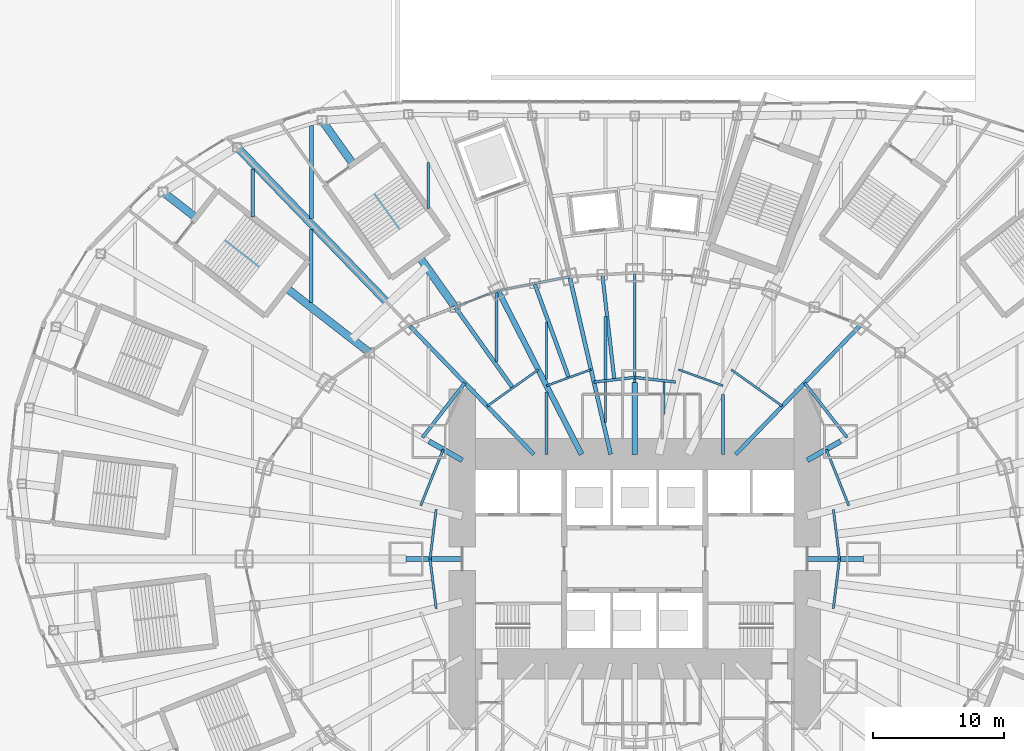
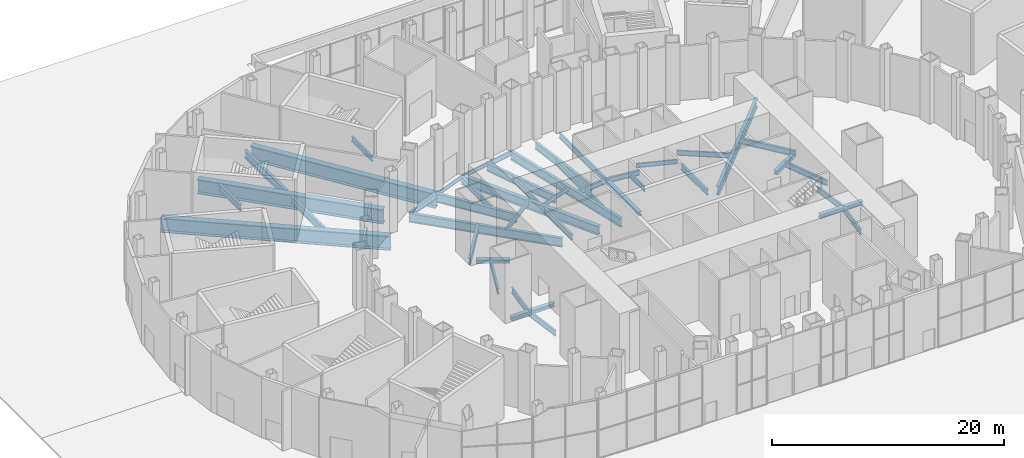
# One storey, part 6 of 47: 45 beams.
"""IFC4 building model written with IfcOpenShell, lengths in metres."""

from ifc_helpers import new_model, si_unit, direction, frame, origin, origin_2d, place, context, subcontext, project, spatial, i_section, extrude, material, material_profile, profile_set, type_object, element, save


model = new_model("IFC4")

# Units and contexts
model_context = context("Model", 3, precision=1e-05, world=origin(), true_north=direction((0.0, 1.0)))
body_context = subcontext(model_context, "Body", "Model", "MODEL_VIEW")
ifc_project = project(units=[si_unit("LENGTHUNIT", "METRE"), si_unit("AREAUNIT", "SQUARE_METRE"), si_unit("VOLUMEUNIT", "CUBIC_METRE"), si_unit("PLANEANGLEUNIT", "RADIAN"), si_unit("MASSUNIT", "GRAM", prefix="KILO")], contexts=[model_context])

# Site, building, storey
site_placement = place(None, origin())
site = spatial("IfcSite", under=ifc_project, at=site_placement, CompositionType="ELEMENT")
building_placement = place(site_placement, origin())
building = spatial("IfcBuilding", under=site, at=building_placement, Name="Lantaw Convention Tower", CompositionType="ELEMENT")
storey_placement = place(building_placement, origin())
storey = spatial("IfcBuildingStorey", under=building, at=storey_placement, Name="L00", CompositionType="ELEMENT", Elevation=0.0)

# Beams
ifc_material_1 = material(Name="Steel ASTM A992", Category="steel")
ifc_material_profile_1 = material_profile(ifc_material_1, i_section(OverallWidth=0.140380859375, OverallDepth=0.40380859375, WebThickness=0.007080078125, FlangeThickness=0.01123046875, FilletRadius=0.01025390625, at=origin_2d()), Name="W16X31")
ifc_profile_set_1 = profile_set([ifc_material_profile_1], Name="Steel ASTM A992")
beam_type_1 = type_object("IfcBeamType", Name="Beam E W16X31", PredefinedType="SPANDREL", material=ifc_profile_set_1)
beam_1_placement = place(storey_placement, frame((-7.671142578125, 21.076416015625, -0.65185546875), z_axis=(-0.98163593748, -0.190763954266, 0.0), x_axis=(0.190763954266, -0.98163593748, 0.0)))
element("IfcBeam", 1, at=beam_1_placement, inside=storey, type_object=beam_type_1, Name="Edge beam 8", PredefinedType="SPANDREL", context=body_context, shape_type="SweptSolid", body=[
    extrude(i_section(OverallWidth=0.140380859375, OverallDepth=0.40380859375, WebThickness=0.007080078125, FlangeThickness=0.01123046875, FilletRadius=0.01025390625, at=origin_2d()), origin(), (0.0, 0.0, 1.0), 2.84375),
])
beam_2_placement = place(storey_placement, frame((-10.462646484375, 20.533935546875, -0.65185546875), z_axis=(-0.933241815012, -0.359248820058, 0.0), x_axis=(0.359248820058, -0.933241815012, 0.0)))
element("IfcBeam", 2, at=beam_2_placement, inside=storey, type_object=beam_type_1, Name="Edge beam 9", PredefinedType="SPANDREL", context=body_context, shape_type="SweptSolid", body=[
    extrude(i_section(OverallWidth=0.140380859375, OverallDepth=0.40380859375, WebThickness=0.007080078125, FlangeThickness=0.01123046875, FilletRadius=0.01025390625, at=origin_2d()), origin(), (0.0, 0.0, 1.0), 3.517578125),
])
ifc_material_profile_2 = material_profile(ifc_material_1, i_section(OverallWidth=0.1650390625, OverallDepth=0.52587890625, WebThickness=0.0087890625, FlangeThickness=0.011474609375, FilletRadius=0.0126953125, at=origin_2d()), Name="W21X44")
ifc_profile_set_2 = profile_set([ifc_material_profile_2], Name="Steel ASTM A992")
beam_type_2 = type_object("IfcBeamType", Name="Beam E W21X44", PredefinedType="SPANDREL", material=ifc_profile_set_2)
beam_3_placement = place(storey_placement, frame((-4.986328125, 21.59814453125, -0.712890625), z_axis=(-0.981637218105, -0.190757364289, 0.0), x_axis=(0.190757364289, -0.981637218105, 0.0)))
element("IfcBeam", 3, at=beam_3_placement, inside=storey, type_object=beam_type_2, Name="Edge beam 8", PredefinedType="SPANDREL", context=body_context, shape_type="SweptSolid", body=[
    extrude(i_section(OverallWidth=0.1650390625, OverallDepth=0.52587890625, WebThickness=0.0087890625, FlangeThickness=0.011474609375, FilletRadius=0.0126953125, at=origin_2d()), origin(), (0.0, 0.0, 1.0), 2.735107421875),
])
ifc_material_profile_3 = material_profile(ifc_material_1, i_section(OverallWidth=0.2099609375, OverallDepth=0.535888671875, WebThickness=0.010986328125, FlangeThickness=0.017333984375, FilletRadius=0.012939453125, at=origin_2d()), Name="W21X68")
ifc_profile_set_3 = profile_set([ifc_material_profile_3], Name="Steel ASTM A992")
beam_type_3 = type_object("IfcBeamType", Name="Beam E W21X68", PredefinedType="SPANDREL", material=ifc_profile_set_3)
beam_4_placement = place(storey_placement, frame((-13.745361328125, 19.270263671875, -0.718017578125), z_axis=(-0.933224646415, -0.359293416754, 0.0), x_axis=(0.359293416754, -0.933224646415, 0.0)))
element("IfcBeam", 4, at=beam_4_placement, inside=storey, type_object=beam_type_3, Name="Edge beam 9", PredefinedType="SPANDREL", context=body_context, shape_type="SweptSolid", body=[
    extrude(i_section(OverallWidth=0.2099609375, OverallDepth=0.535888671875, WebThickness=0.010986328125, FlangeThickness=0.017333984375, FilletRadius=0.012939453125, at=origin_2d()), origin(), (0.0, 0.0, 1.0), 3.799072265625),
])
ifc_material_profile_4 = material_profile(ifc_material_1, i_section(OverallWidth=0.177978515625, OverallDepth=0.599365234375, WebThickness=0.010009765625, FlangeThickness=0.012939453125, FilletRadius=0.012939453125, at=origin_2d()), Name="W24X55")
ifc_profile_set_4 = profile_set([ifc_material_profile_4], Name="Steel ASTM A992")
beam_type_4 = type_object("IfcBeamType", Name="Beam G W24X55", PredefinedType="BEAM", material=ifc_profile_set_4)
beam_5_placement = place(storey_placement, frame((0.0, 13.5, -0.749755859375), z_axis=(0.0, 1.0, 0.0), x_axis=(-1.0, 0.0, 0.0)))
element("IfcBeam", 5, at=beam_5_placement, inside=storey, type_object=beam_type_4, Name="Floor girder on ray 7", PredefinedType="BEAM", context=body_context, shape_type="SweptSolid", body=[
    extrude(i_section(OverallWidth=0.177978515625, OverallDepth=0.599365234375, WebThickness=0.010009765625, FlangeThickness=0.012939453125, FilletRadius=0.012939453125, at=origin_2d()), origin(), (0.0, 0.0, 1.0), 8.39990234375),
])
ifc_material_profile_5 = material_profile(ifc_material_1, i_section(OverallWidth=0.2666015625, OverallDepth=0.76953125, WebThickness=0.015625, FlangeThickness=0.025390625, FilletRadius=0.0126953125, at=origin_2d()), Name="W30X132")
ifc_profile_set_5 = profile_set([ifc_material_profile_5], Name="Steel ASTM A992")
beam_type_5 = type_object("IfcBeamType", Name="Beam G W30X132", PredefinedType="BEAM", material=ifc_profile_set_5)
beam_6_placement = place(storey_placement, frame((-1.5625, 13.713134765625, -0.834716796875), z_axis=(-0.113183957156, 0.993574049501, 0.0), x_axis=(-0.993574049501, -0.113183957156, 0.0)))
element("IfcBeam", 6, at=beam_6_placement, inside=storey, type_object=beam_type_5, Name="Floor girder on bisector 7", PredefinedType="BEAM", context=body_context, shape_type="SweptSolid", body=[
    extrude(i_section(OverallWidth=0.2666015625, OverallDepth=0.76953125, WebThickness=0.015625, FlangeThickness=0.025390625, FilletRadius=0.0126953125, at=origin_2d()), origin(), (0.0, 0.0, 1.0), 8.0888671875),
])
ifc_material_profile_6 = material_profile(ifc_material_1, i_section(OverallWidth=0.2919921875, OverallDepth=0.845703125, WebThickness=0.015380859375, FlangeThickness=0.0244140625, FilletRadius=0.01513671875, at=origin_2d()), Name="W33X141")
ifc_profile_set_6 = profile_set([ifc_material_profile_6], Name="Steel ASTM A992")
beam_type_6 = type_object("IfcBeamType", Name="Beam G W33X141", PredefinedType="BEAM", material=ifc_profile_set_6)
beam_7_placement = place(storey_placement, frame((-5.04931640625, 13.873046875, -0.872802734375), z_axis=(-0.342021781151, 0.939692024664, 0.0), x_axis=(-0.939692024664, -0.342021781151, 0.0)))
element("IfcBeam", 7, at=beam_7_placement, inside=storey, type_object=beam_type_6, Name="Floor girder on bisector 8", PredefinedType="BEAM", context=body_context, shape_type="SweptSolid", body=[
    extrude(i_section(OverallWidth=0.2919921875, OverallDepth=0.845703125, WebThickness=0.015380859375, FlangeThickness=0.0244140625, FilletRadius=0.01513671875, at=origin_2d()), origin(), (0.0, 0.0, 1.0), 7.665771484375),
])
ifc_material_profile_7 = material_profile(ifc_material_1, i_section(OverallWidth=0.307373046875, OverallDepth=0.922119140625, WebThickness=0.018310546875, FlangeThickness=0.030029296875, FilletRadius=0.0126953125, at=origin_2d()), Name="W36X182")
ifc_profile_set_7 = profile_set([ifc_material_profile_7], Name="Steel ASTM A992")
beam_type_7 = type_object("IfcBeamType", Name="Beam G W36X182", PredefinedType="BEAM", material=ifc_profile_set_7)
beam_8_placement = place(storey_placement, frame((-1.846923828125, 8.0, -0.910888671875), z_axis=(-0.224952773175, 0.97436966796, 0.0), x_axis=(-0.97436966796, -0.224952773175, 0.0)))
element("IfcBeam", 8, at=beam_8_placement, inside=storey, type_object=beam_type_7, Name="Floor girder on ray 8", PredefinedType="BEAM", context=body_context, shape_type="SweptSolid", body=[
    extrude(i_section(OverallWidth=0.307373046875, OverallDepth=0.922119140625, WebThickness=0.018310546875, FlangeThickness=0.030029296875, FilletRadius=0.0126953125, at=origin_2d()), origin(), (0.0, 0.0, 1.0), 13.955810546875),
])
beam_9_placement = place(storey_placement, frame((-9.335693359375, 13.088134765625, -0.910888671875), z_axis=(-0.580702805158, 0.814115625745, 0.0), x_axis=(-0.814115625745, -0.580702805158, 0.0)))
element("IfcBeam", 9, at=beam_9_placement, inside=storey, type_object=beam_type_7, Name="Floor girder on bisector 9", PredefinedType="BEAM", context=body_context, shape_type="SweptSolid", body=[
    extrude(i_section(OverallWidth=0.307373046875, OverallDepth=0.922119140625, WebThickness=0.018310546875, FlangeThickness=0.030029296875, FilletRadius=0.0126953125, at=origin_2d()), origin(), (0.0, 0.0, 1.0), 7.59375),
])
ifc_material_profile_8 = material_profile(ifc_material_1, i_section(OverallWidth=0.307373046875, OverallDepth=0.9423828125, WebThickness=0.022216796875, FlangeThickness=0.039794921875, FilletRadius=0.0126953125, at=origin_2d()), Name="W36X232")
ifc_profile_set_8 = profile_set([ifc_material_profile_8], Name="Steel ASTM A992")
beam_type_8 = type_object("IfcBeamType", Name="Beam G W36X232", PredefinedType="BEAM", material=ifc_profile_set_8)
for number, where, z_axis, x_axis, name in (
    (10, (7.7255859375, 8.0, -0.921142578125), (0.694649884291, 0.719347995239, 0.0), (-0.719347995239, 0.694649884291, 0.0), "Floor girder on ray 4"),
    (11, (-7.7255859375, 8.0, -0.921142578125), (-0.694649884291, 0.719347995239, 0.0), (-0.719347995239, -0.694649884291, 0.0), "Floor girder on ray 10"),
):
    element("IfcBeam", number, at=place(storey_placement, frame(where, z_axis=z_axis, x_axis=x_axis)), inside=storey, type_object=beam_type_8, Name=name, PredefinedType="BEAM", context=body_context, shape_type="SweptSolid", body=[
        extrude(i_section(OverallWidth=0.307373046875, OverallDepth=0.9423828125, WebThickness=0.022216796875, FlangeThickness=0.039794921875, FilletRadius=0.0126953125, at=origin_2d()), origin(), (0.0, 0.0, 1.0), 13.769775390625),
    ])
ifc_material_profile_9 = material_profile(ifc_material_1, i_section(OverallWidth=0.421630859375, OverallDepth=0.937255859375, WebThickness=0.0224609375, FlangeThickness=0.039794921875, FilletRadius=0.02001953125, at=origin_2d()), Name="W36X282")
ifc_profile_set_9 = profile_set([ifc_material_profile_9], Name="Steel ASTM A992")
beam_type_9 = type_object("IfcBeamType", Name="Beam G W36X282", PredefinedType="BEAM", material=ifc_profile_set_9)
beam_10_placement = place(storey_placement, frame((-4.076171875, 8.0, -0.918701171875), z_axis=(-0.453997016122, 0.891003203896, 0.0), x_axis=(-0.891003203896, -0.453997016122, 0.0)))
element("IfcBeam", 12, at=beam_10_placement, inside=storey, type_object=beam_type_9, Name="Floor girder on ray 9", PredefinedType="BEAM", context=body_context, shape_type="SweptSolid", body=[
    extrude(i_section(OverallWidth=0.421630859375, OverallDepth=0.937255859375, WebThickness=0.0224609375, FlangeThickness=0.039794921875, FilletRadius=0.02001953125, at=origin_2d()), origin(), (0.0, 0.0, 1.0), 14.067138671875),
])
ifc_material_profile_10 = material_profile(ifc_material_1, i_section(OverallWidth=0.40380859375, OverallDepth=0.406494140625, WebThickness=0.027099609375, FlangeThickness=0.043701171875, FilletRadius=0.01513671875, at=origin_2d()), Name="W14X233")
ifc_profile_set_10 = profile_set([ifc_material_profile_10], Name="Steel ASTM A992")
beam_type_10 = type_object("IfcBeamType", Name="Beam GM W14X233", PredefinedType="BEAM", material=ifc_profile_set_10)
beam_11_placement = place(storey_placement, frame((13.199951171875, 0.0, -0.6533203125), z_axis=(1.0, 0.0, 0.0), x_axis=(0.0, 1.0, 0.0)))
element("IfcBeam", 13, at=beam_11_placement, inside=storey, type_object=beam_type_10, Name="Core link beam on ray 1", PredefinedType="BEAM", context=body_context, shape_type="SweptSolid", body=[
    extrude(i_section(OverallWidth=0.40380859375, OverallDepth=0.406494140625, WebThickness=0.027099609375, FlangeThickness=0.043701171875, FilletRadius=0.01513671875, at=origin_2d()), origin(), (0.0, 0.0, 1.0), 4.300048828125),
])
beam_12_placement = place(storey_placement, frame((13.199951171875, 7.54296875, -0.6533203125), z_axis=(0.868263603466, 0.496103129295, 0.0), x_axis=(-0.496103129295, 0.868263603466, 0.0)))
element("IfcBeam", 14, at=beam_12_placement, inside=storey, type_object=beam_type_10, Name="Core link beam on ray 3", PredefinedType="BEAM", context=body_context, shape_type="SweptSolid", body=[
    extrude(i_section(OverallWidth=0.40380859375, OverallDepth=0.406494140625, WebThickness=0.027099609375, FlangeThickness=0.043701171875, FilletRadius=0.01513671875, at=origin_2d()), origin(), (0.0, 0.0, 1.0), 2.93701171875),
])
beam_13_placement = place(storey_placement, frame((0.0, 8.0, -0.6533203125), z_axis=(0.0, 1.0, 0.0), x_axis=(-1.0, 0.0, 0.0)))
element("IfcBeam", 15, at=beam_13_placement, inside=storey, type_object=beam_type_10, Name="Core link beam on ray 7", PredefinedType="BEAM", context=body_context, shape_type="SweptSolid", body=[
    extrude(i_section(OverallWidth=0.40380859375, OverallDepth=0.406494140625, WebThickness=0.027099609375, FlangeThickness=0.043701171875, FilletRadius=0.01513671875, at=origin_2d()), origin(), (0.0, 0.0, 1.0), 5.5),
])
beam_14_placement = place(storey_placement, frame((-13.199951171875, 7.54296875, -0.6533203125), z_axis=(-0.868263603466, 0.496103129295, 0.0), x_axis=(-0.496103129295, -0.868263603466, 0.0)))
element("IfcBeam", 16, at=beam_14_placement, inside=storey, type_object=beam_type_10, Name="Core link beam on ray 11", PredefinedType="BEAM", context=body_context, shape_type="SweptSolid", body=[
    extrude(i_section(OverallWidth=0.40380859375, OverallDepth=0.406494140625, WebThickness=0.027099609375, FlangeThickness=0.043701171875, FilletRadius=0.01513671875, at=origin_2d()), origin(), (0.0, 0.0, 1.0), 2.93701171875),
])
beam_15_placement = place(storey_placement, frame((-13.199951171875, 0.0, -0.6533203125), z_axis=(-1.0, 0.0, 0.0), x_axis=(0.0, -1.0, 0.0)))
element("IfcBeam", 17, at=beam_15_placement, inside=storey, type_object=beam_type_10, Name="Core link beam on ray 13", PredefinedType="BEAM", context=body_context, shape_type="SweptSolid", body=[
    extrude(i_section(OverallWidth=0.40380859375, OverallDepth=0.406494140625, WebThickness=0.027099609375, FlangeThickness=0.043701171875, FilletRadius=0.01513671875, at=origin_2d()), origin(), (0.0, 0.0, 1.0), 4.300048828125),
])
ifc_material_profile_11 = material_profile(ifc_material_1, i_section(OverallWidth=0.15234375, OverallDepth=0.449462890625, WebThickness=0.007568359375, FlangeThickness=0.0107421875, FilletRadius=0.01025390625, at=origin_2d()), Name="W18X35")
ifc_profile_set_11 = profile_set([ifc_material_profile_11], Name="Steel ASTM A992")
beam_type_11 = type_object("IfcBeamType", Name="Beam HC W18X35", PredefinedType="BEAM", material=ifc_profile_set_11)
for number, where, z_axis, x_axis, name in (
    (18, (6.752685546875, 13.253173828125, -0.6748046875), (-0.939689171859, 0.342029619025, 0.0), (-0.342029619025, -0.939689171859, 0.0), "Collar beam on bisector 5"),
    (19, (-3.345947265625, 14.4931640625, -0.6748046875), (-0.939689171859, -0.342029619025, 0.0), (0.342029619025, -0.939689171859, 0.0), "Collar beam on bisector 8"),
):
    element("IfcBeam", number, at=place(storey_placement, frame(where, z_axis=z_axis, x_axis=x_axis)), inside=storey, type_object=beam_type_11, Name=name, PredefinedType="BEAM", context=body_context, shape_type="SweptSolid", body=[
        extrude(i_section(OverallWidth=0.15234375, OverallDepth=0.449462890625, WebThickness=0.007568359375, FlangeThickness=0.0107421875, FilletRadius=0.01025390625, at=origin_2d()), origin(), (0.0, 0.0, 1.0), 3.62548828125),
    ])
ifc_material_profile_12 = material_profile(ifc_material_1, i_section(OverallWidth=0.1650390625, OverallDepth=0.52587890625, WebThickness=0.0087890625, FlangeThickness=0.011474609375, FilletRadius=0.0126953125, at=origin_2d()), Name="W21X44")
ifc_profile_set_12 = profile_set([ifc_material_profile_12], Name="Steel ASTM A992")
beam_type_12 = type_object("IfcBeamType", Name="Beam HC W21X44", PredefinedType="BEAM", material=ifc_profile_set_12)
for number, where, z_axis, x_axis, name in (
    (20, (11.291748046875, 11.69287109375, -0.712890625), (-0.814110909588, 0.580709416912, 0.0), (-0.580709416912, -0.814110909588, 0.0), "Collar beam on bisector 4"),
    (21, (-7.379638671875, 14.4833984375, -0.712890625), (-0.814110909588, -0.580709416912, 0.0), (0.580709416912, -0.814110909588, 0.0), "Collar beam on bisector 9"),
):
    element("IfcBeam", number, at=place(storey_placement, frame(where, z_axis=z_axis, x_axis=x_axis)), inside=storey, type_object=beam_type_12, Name=name, PredefinedType="BEAM", context=body_context, shape_type="SweptSolid", body=[
        extrude(i_section(OverallWidth=0.1650390625, OverallDepth=0.52587890625, WebThickness=0.0087890625, FlangeThickness=0.011474609375, FilletRadius=0.0126953125, at=origin_2d()), origin(), (0.0, 0.0, 1.0), 4.805419921875),
    ])
ifc_material_profile_13 = material_profile(ifc_material_1, i_section(OverallWidth=0.2099609375, OverallDepth=0.535888671875, WebThickness=0.010986328125, FlangeThickness=0.017333984375, FilletRadius=0.012939453125, at=origin_2d()), Name="W21X68")
ifc_profile_set_13 = profile_set([ifc_material_profile_13], Name="Steel ASTM A992")
beam_type_13 = type_object("IfcBeamType", Name="Beam HC W21X68", PredefinedType="BEAM", material=ifc_profile_set_13)
for number, where, z_axis, x_axis, name in (
    (22, (3.124755859375, 13.534912109375, -0.718017578125), (-0.99356540907, 0.113259780595, 0.0), (-0.113259780595, -0.99356540907, 0.0), "Collar beam on bisector 6"),
    (23, (0.0, 13.89111328125, -0.718017578125), (-0.99356540907, -0.113259780595, 0.0), (0.113259780595, -0.99356540907, 0.0), "Collar beam on bisector 7"),
):
    element("IfcBeam", number, at=place(storey_placement, frame(where, z_axis=z_axis, x_axis=x_axis)), inside=storey, type_object=beam_type_13, Name=name, PredefinedType="BEAM", context=body_context, shape_type="SweptSolid", body=[
        extrude(i_section(OverallWidth=0.2099609375, OverallDepth=0.535888671875, WebThickness=0.010986328125, FlangeThickness=0.017333984375, FilletRadius=0.012939453125, at=origin_2d()), origin(), (0.0, 0.0, 1.0), 3.14501953125),
    ])
ifc_material_profile_14 = material_profile(ifc_material_1, i_section(OverallWidth=0.177978515625, OverallDepth=0.599365234375, WebThickness=0.010009765625, FlangeThickness=0.012939453125, FilletRadius=0.012939453125, at=origin_2d()), Name="W24X55")
ifc_profile_set_14 = profile_set([ifc_material_profile_14], Name="Steel ASTM A992")
beam_type_14 = type_object("IfcBeamType", Name="Beam HC W24X55", PredefinedType="BEAM", material=ifc_profile_set_14)
beam_16_placement = place(storey_placement, frame((15.666015625, 0.0, -0.749755859375), z_axis=(-0.121925556924, 0.992539247873, 0.0), x_axis=(-0.992539247873, -0.121925556924, 0.0)))
element("IfcBeam", 24, at=beam_16_placement, inside=storey, type_object=beam_type_14, Name="Collar beam on bisector 1", PredefinedType="BEAM", context=body_context, shape_type="SweptSolid", body=[
    extrude(i_section(OverallWidth=0.177978515625, OverallDepth=0.599365234375, WebThickness=0.010009765625, FlangeThickness=0.012939453125, FilletRadius=0.012939453125, at=origin_2d()), origin(), (0.0, 0.0, 1.0), 3.818603515625),
])
for number, where, z_axis, x_axis, name in (
    (25, (16.381591796875, 4.08447265625, -0.749755859375), (-0.372591792929, 0.927995342576, 0.0), (-0.927995342576, -0.372591792929, 0.0), "Collar beam on bisector 2"),
    (26, (-14.658447265625, 8.376220703125, -0.749755859375), (-0.372591792929, -0.927995342576, 0.0), (0.927995342576, -0.372591792929, 0.0), "Collar beam on bisector 11"),
):
    element("IfcBeam", number, at=place(storey_placement, frame(where, z_axis=z_axis, x_axis=x_axis)), inside=storey, type_object=beam_type_14, Name=name, PredefinedType="BEAM", context=body_context, shape_type="SweptSolid", body=[
        extrude(i_section(OverallWidth=0.177978515625, OverallDepth=0.599365234375, WebThickness=0.010009765625, FlangeThickness=0.012939453125, FilletRadius=0.012939453125, at=origin_2d()), origin(), (0.0, 0.0, 1.0), 4.624755859375),
    ])
for number, where, z_axis, x_axis, name in (
    (27, (-15.200439453125, 3.7900390625, -0.749755859375), (-0.121925556924, -0.992539247873, 0.0), (0.992539247873, -0.121925556924, 0.0), "Collar beam on bisector 12"),
    (28, (-15.666015625, 0.0, -0.749755859375), (0.121925556924, -0.992539247873, 0.0), (0.992539247873, 0.121925556924, 0.0), "Collar beam on bisector 13"),
    (29, (15.200439453125, -3.7900390625, -0.749755859375), (0.121925556924, 0.992539247873, 0.0), (-0.992539247873, 0.121925556924, 0.0), "Collar beam on bisector 24"),
):
    element("IfcBeam", number, at=place(storey_placement, frame(where, z_axis=z_axis, x_axis=x_axis)), inside=storey, type_object=beam_type_14, Name=name, PredefinedType="BEAM", context=body_context, shape_type="SweptSolid", body=[
        extrude(i_section(OverallWidth=0.177978515625, OverallDepth=0.599365234375, WebThickness=0.010009765625, FlangeThickness=0.012939453125, FilletRadius=0.012939453125, at=origin_2d()), origin(), (0.0, 0.0, 1.0), 3.818603515625),
    ])
ifc_material_profile_15 = material_profile(ifc_material_1, i_section(OverallWidth=0.22900390625, OverallDepth=0.612060546875, WebThickness=0.011962890625, FlangeThickness=0.01953125, FilletRadius=0.0126953125, at=origin_2d()), Name="W24X84")
ifc_profile_set_15 = profile_set([ifc_material_profile_15], Name="Steel ASTM A992")
beam_type_15 = type_object("IfcBeamType", Name="Beam HC W24X84", PredefinedType="BEAM", material=ifc_profile_set_15)
beam_17_placement = place(storey_placement, frame((16.2529296875, 9.287353515625, -0.756103515625), z_axis=(-0.613915067401, 0.789372085913, 0.0), x_axis=(-0.789372085913, -0.613915067401, 0.0)))
element("IfcBeam", 30, at=beam_17_placement, inside=storey, type_object=beam_type_15, Name="Collar beam on bisector 3", PredefinedType="BEAM", context=body_context, shape_type="SweptSolid", body=[
    extrude(i_section(OverallWidth=0.22900390625, OverallDepth=0.612060546875, WebThickness=0.011962890625, FlangeThickness=0.01953125, FilletRadius=0.0126953125, at=origin_2d()), origin(), (0.0, 0.0, 1.0), 5.293212890625),
])
ifc_material_profile_16 = material_profile(ifc_material_1, i_section(OverallWidth=0.256591796875, OverallDepth=0.693359375, WebThickness=0.014404296875, FlangeThickness=0.023681640625, FilletRadius=0.01513671875, at=origin_2d()), Name="W27X114")
ifc_profile_set_16 = profile_set([ifc_material_profile_16], Name="Steel ASTM A992")
beam_type_16 = type_object("IfcBeamType", Name="Beam HC W27X114", PredefinedType="BEAM", material=ifc_profile_set_16)
beam_18_placement = place(storey_placement, frame((-13.00341796875, 13.465576171875, -0.796630859375), z_axis=(-0.613915067401, -0.789372085913, 0.0), x_axis=(0.789372085913, -0.613915067401, 0.0)))
element("IfcBeam", 31, at=beam_18_placement, inside=storey, type_object=beam_type_16, Name="Collar beam on bisector 10", PredefinedType="BEAM", context=body_context, shape_type="SweptSolid", body=[
    extrude(i_section(OverallWidth=0.256591796875, OverallDepth=0.693359375, WebThickness=0.014404296875, FlangeThickness=0.023681640625, FilletRadius=0.01513671875, at=origin_2d()), origin(), (0.0, 0.0, 1.0), 5.293212890625),
])
ifc_material_profile_17 = material_profile(ifc_material_1, i_section(OverallWidth=0.1650390625, OverallDepth=0.52587890625, WebThickness=0.0087890625, FlangeThickness=0.011474609375, FilletRadius=0.0126953125, at=origin_2d()), Name="W21X44")
ifc_profile_set_17 = profile_set([ifc_material_profile_17], Name="Steel ASTM A992")
beam_type_17 = type_object("IfcBeamType", Name="Beam J W21X44", PredefinedType="JOIST", material=ifc_profile_set_17)
beam_19_placement = place(storey_placement, frame((-2.25, 10.428955078125, -0.712890625), z_axis=(0.0, 1.0, 0.0), x_axis=(-1.0, 0.0, 0.0)))
element("IfcBeam", 32, at=beam_19_placement, inside=storey, type_object=beam_type_17, Name="Floor joist", PredefinedType="JOIST", context=body_context, shape_type="SweptSolid", body=[
    extrude(i_section(OverallWidth=0.1650390625, OverallDepth=0.52587890625, WebThickness=0.0087890625, FlangeThickness=0.011474609375, FilletRadius=0.0126953125, at=origin_2d()), origin(), (0.0, 0.0, 1.0), 3.10009765625),
])
beam_20_placement = place(storey_placement, frame((2.25, 11.079345703125, -0.712890625), z_axis=(0.0, 1.0, 0.0), x_axis=(-1.0, 0.0, 0.0)))
element("IfcBeam", 33, at=beam_20_placement, inside=storey, type_object=beam_type_17, Name="Floor joist", PredefinedType="JOIST", context=body_context, shape_type="SweptSolid", body=[
    extrude(i_section(OverallWidth=0.1650390625, OverallDepth=0.52587890625, WebThickness=0.0087890625, FlangeThickness=0.011474609375, FilletRadius=0.0126953125, at=origin_2d()), origin(), (0.0, 0.0, 1.0), 2.44970703125),
])
ifc_material_profile_18 = material_profile(ifc_material_1, i_section(OverallWidth=0.209228515625, OverallDepth=0.533447265625, WebThickness=0.01025390625, FlangeThickness=0.015625, FilletRadius=0.012939453125, at=origin_2d()), Name="W21X62")
ifc_profile_set_18 = profile_set([ifc_material_profile_18], Name="Steel ASTM A992")
beam_type_18 = type_object("IfcBeamType", Name="Beam J W21X62", PredefinedType="JOIST", material=ifc_profile_set_18)
beam_21_placement = place(storey_placement, frame((-15.800048828125, 26.80029296875, -0.716796875), z_axis=(0.0, 1.0, 0.0), x_axis=(-1.0, 0.0, 0.0)))
element("IfcBeam", 34, at=beam_21_placement, inside=storey, type_object=beam_type_18, Name="Floor joist", PredefinedType="JOIST", context=body_context, shape_type="SweptSolid", body=[
    extrude(i_section(OverallWidth=0.209228515625, OverallDepth=0.533447265625, WebThickness=0.01025390625, FlangeThickness=0.015625, FilletRadius=0.012939453125, at=origin_2d()), origin(), (0.0, 0.0, 1.0), 3.548095703125),
])
ifc_material_profile_19 = material_profile(ifc_material_1, i_section(OverallWidth=0.177978515625, OverallDepth=0.599365234375, WebThickness=0.010009765625, FlangeThickness=0.012939453125, FilletRadius=0.012939453125, at=origin_2d()), Name="W24X55")
ifc_profile_set_19 = profile_set([ifc_material_profile_19], Name="Steel ASTM A992")
beam_type_19 = type_object("IfcBeamType", Name="Beam J W24X55", PredefinedType="JOIST", material=ifc_profile_set_19)
beam_22_placement = place(storey_placement, frame((-6.75, 13.718505859375, -0.749755859375), z_axis=(0.0, 1.0, 0.0), x_axis=(-1.0, 0.0, 0.0)))
element("IfcBeam", 35, at=beam_22_placement, inside=storey, type_object=beam_type_19, Name="Floor joist", PredefinedType="JOIST", context=body_context, shape_type="SweptSolid", body=[
    extrude(i_section(OverallWidth=0.177978515625, OverallDepth=0.599365234375, WebThickness=0.010009765625, FlangeThickness=0.012939453125, FilletRadius=0.012939453125, at=origin_2d()), origin(), (0.0, 0.0, 1.0), 4.39990234375),
])
ifc_material_profile_20 = material_profile(ifc_material_1, i_section(OverallWidth=0.227783203125, OverallDepth=0.60205078125, WebThickness=0.010498046875, FlangeThickness=0.014892578125, FilletRadius=0.012939453125, at=origin_2d()), Name="W24X68")
ifc_profile_set_20 = profile_set([ifc_material_profile_20], Name="Steel ASTM A992")
beam_type_20 = type_object("IfcBeamType", Name="Beam J W24X68", PredefinedType="JOIST", material=ifc_profile_set_20)
beam_23_placement = place(storey_placement, frame((-10.60009765625, 15.125244140625, -0.7509765625), z_axis=(0.0, 1.0, 0.0), x_axis=(-1.0, 0.0, 0.0)))
element("IfcBeam", 36, at=beam_23_placement, inside=storey, type_object=beam_type_20, Name="Floor joist", PredefinedType="JOIST", context=body_context, shape_type="SweptSolid", body=[
    extrude(i_section(OverallWidth=0.227783203125, OverallDepth=0.60205078125, WebThickness=0.010498046875, FlangeThickness=0.014892578125, FilletRadius=0.012939453125, at=origin_2d()), origin(), (0.0, 0.0, 1.0), 5.280517578125),
])
ifc_material_profile_21 = material_profile(ifc_material_1, i_section(OverallWidth=0.22900390625, OverallDepth=0.612060546875, WebThickness=0.011962890625, FlangeThickness=0.01953125, FilletRadius=0.0126953125, at=origin_2d()), Name="W24X84")
ifc_profile_set_21 = profile_set([ifc_material_profile_21], Name="Steel ASTM A992")
beam_type_21 = type_object("IfcBeamType", Name="Beam J W24X84", PredefinedType="JOIST", material=ifc_profile_set_21)
beam_24_placement = place(storey_placement, frame((-6.75, 8.0, -0.756103515625), z_axis=(0.0, 1.0, 0.0), x_axis=(-1.0, 0.0, 0.0)))
element("IfcBeam", 37, at=beam_24_placement, inside=storey, type_object=beam_type_21, Name="Floor joist", PredefinedType="JOIST", context=body_context, shape_type="SweptSolid", body=[
    extrude(i_section(OverallWidth=0.22900390625, OverallDepth=0.612060546875, WebThickness=0.011962890625, FlangeThickness=0.01953125, FilletRadius=0.0126953125, at=origin_2d()), origin(), (0.0, 0.0, 1.0), 4.783203125),
])
beam_25_placement = place(storey_placement, frame((-2.25, 13.740478515625, -0.756103515625), z_axis=(0.0, 1.0, 0.0), x_axis=(-1.0, 0.0, 0.0)))
element("IfcBeam", 38, at=beam_25_placement, inside=storey, type_object=beam_type_21, Name="Floor joist", PredefinedType="JOIST", context=body_context, shape_type="SweptSolid", body=[
    extrude(i_section(OverallWidth=0.22900390625, OverallDepth=0.612060546875, WebThickness=0.011962890625, FlangeThickness=0.01953125, FilletRadius=0.0126953125, at=origin_2d()), origin(), (0.0, 0.0, 1.0), 4.82958984375),
])
beam_26_placement = place(storey_placement, frame((6.75, 8.0, -0.756103515625), z_axis=(0.0, 1.0, 0.0), x_axis=(-1.0, 0.0, 0.0)))
element("IfcBeam", 39, at=beam_26_placement, inside=storey, type_object=beam_type_21, Name="Floor joist", PredefinedType="JOIST", context=body_context, shape_type="SweptSolid", body=[
    extrude(i_section(OverallWidth=0.22900390625, OverallDepth=0.612060546875, WebThickness=0.011962890625, FlangeThickness=0.01953125, FilletRadius=0.0126953125, at=origin_2d()), origin(), (0.0, 0.0, 1.0), 4.5869140625),
])
ifc_material_profile_22 = material_profile(ifc_material_1, i_section(OverallWidth=0.256591796875, OverallDepth=0.693359375, WebThickness=0.014404296875, FlangeThickness=0.023681640625, FilletRadius=0.01513671875, at=origin_2d()), Name="W27X114")
ifc_profile_set_22 = profile_set([ifc_material_profile_22], Name="Steel ASTM A992")
beam_type_22 = type_object("IfcBeamType", Name="Beam J W27X114", PredefinedType="JOIST", material=ifc_profile_set_22)
beam_27_placement = place(storey_placement, frame((-29.25, 26.16845703125, -0.796630859375), z_axis=(0.0, 1.0, 0.0), x_axis=(-1.0, 0.0, 0.0)))
element("IfcBeam", 40, at=beam_27_placement, inside=storey, type_object=beam_type_22, Name="Floor joist", PredefinedType="JOIST", context=body_context, shape_type="SweptSolid", body=[
    extrude(i_section(OverallWidth=0.256591796875, OverallDepth=0.693359375, WebThickness=0.014404296875, FlangeThickness=0.023681640625, FilletRadius=0.01513671875, at=origin_2d()), origin(), (0.0, 0.0, 1.0), 3.68896484375),
])
ifc_material_profile_23 = material_profile(ifc_material_1, i_section(OverallWidth=0.2666015625, OverallDepth=0.76953125, WebThickness=0.015625, FlangeThickness=0.025390625, FilletRadius=0.0126953125, at=origin_2d()), Name="W30X132")
ifc_profile_set_23 = profile_set([ifc_material_profile_23], Name="Steel ASTM A992")
beam_type_23 = type_object("IfcBeamType", Name="Beam J W30X132", PredefinedType="JOIST", material=ifc_profile_set_23)
beam_28_placement = place(storey_placement, frame((-24.75, 19.62841796875, -0.834716796875), z_axis=(0.0, 1.0, 0.0), x_axis=(-1.0, 0.0, 0.0)))
element("IfcBeam", 41, at=beam_28_placement, inside=storey, type_object=beam_type_23, Name="Floor joist", PredefinedType="JOIST", context=body_context, shape_type="SweptSolid", body=[
    extrude(i_section(OverallWidth=0.2666015625, OverallDepth=0.76953125, WebThickness=0.015625, FlangeThickness=0.025390625, FilletRadius=0.0126953125, at=origin_2d()), origin(), (0.0, 0.0, 1.0), 5.569091796875),
])
ifc_material_profile_24 = material_profile(ifc_material_1, i_section(OverallWidth=0.2919921875, OverallDepth=0.845703125, WebThickness=0.015380859375, FlangeThickness=0.0244140625, FilletRadius=0.01513671875, at=origin_2d()), Name="W33X141")
ifc_profile_set_24 = profile_set([ifc_material_profile_24], Name="Steel ASTM A992")
beam_type_24 = type_object("IfcBeamType", Name="Beam J W33X141", PredefinedType="JOIST", material=ifc_profile_set_24)
beam_29_placement = place(storey_placement, frame((-24.75, 26.061279296875, -0.872802734375), z_axis=(0.0, 1.0, 0.0), x_axis=(-1.0, 0.0, 0.0)))
element("IfcBeam", 42, at=beam_29_placement, inside=storey, type_object=beam_type_24, Name="Floor joist", PredefinedType="JOIST", context=body_context, shape_type="SweptSolid", body=[
    extrude(i_section(OverallWidth=0.2919921875, OverallDepth=0.845703125, WebThickness=0.015380859375, FlangeThickness=0.0244140625, FilletRadius=0.01513671875, at=origin_2d()), origin(), (0.0, 0.0, 1.0), 7.106689453125),
])
ifc_material_2 = material(Name="Steel ASTM A572 Grade 50", Category="steel")
ifc_material_profile_25 = material_profile(ifc_material_2, i_section(OverallWidth=0.60009765625, OverallDepth=1.5, WebThickness=0.02490234375, FlangeThickness=0.06005859375, at=origin_2d()), Name="PG1500X600X25X60")
ifc_profile_set_25 = profile_set([ifc_material_profile_25], Name="Steel ASTM A572 Grade 50")
beam_type_25 = type_object("IfcBeamType", Name="Beam PG PG1500X600X25X60", PredefinedType="BEAM", material=ifc_profile_set_25)
beam_30_placement = place(storey_placement, frame((-18.853759765625, 19.523681640625, -1.199951171875), z_axis=(-0.694655397028, 0.719342671736, 0.0), x_axis=(-0.719342671736, -0.694655397028, 0.0)))
element("IfcBeam", 43, at=beam_30_placement, inside=storey, type_object=beam_type_25, Name="Podium girder PR10", PredefinedType="BEAM", context=body_context, shape_type="SweptSolid", body=[
    extrude(i_section(OverallWidth=0.60009765625, OverallDepth=1.5, WebThickness=0.02490234375, FlangeThickness=0.06005859375, at=origin_2d()), origin(), (0.0, 0.0, 1.0), 16.67333984375),
])
beam_31_placement = place(storey_placement, frame((-13.745361328125, 19.270263671875, -1.199951171875), z_axis=(-0.580706616871, 0.814112906864, 0.0), x_axis=(-0.814112906864, -0.580706616871, 0.0)))
element("IfcBeam", 44, at=beam_31_placement, inside=storey, type_object=beam_type_25, Name="Podium girder PB09", PredefinedType="BEAM", context=body_context, shape_type="SweptSolid", body=[
    extrude(i_section(OverallWidth=0.60009765625, OverallDepth=1.5, WebThickness=0.02490234375, FlangeThickness=0.06005859375, at=origin_2d()), origin(), (0.0, 0.0, 1.0), 17.555908203125),
])
beam_32_placement = place(storey_placement, frame((-20.30859375, 15.794189453125, -1.199951171875), z_axis=(-0.78937783277, 0.613907678019, 0.0), x_axis=(-0.613907678019, -0.78937783277, 0.0)))
element("IfcBeam", 45, at=beam_32_placement, inside=storey, type_object=beam_type_25, Name="Podium girder PB10", PredefinedType="BEAM", context=body_context, shape_type="SweptSolid", body=[
    extrude(i_section(OverallWidth=0.60009765625, OverallDepth=1.5, WebThickness=0.02490234375, FlangeThickness=0.06005859375, at=origin_2d()), origin(), (0.0, 0.0, 1.0), 20.0146484375),
])

save(model, "model.ifc")
